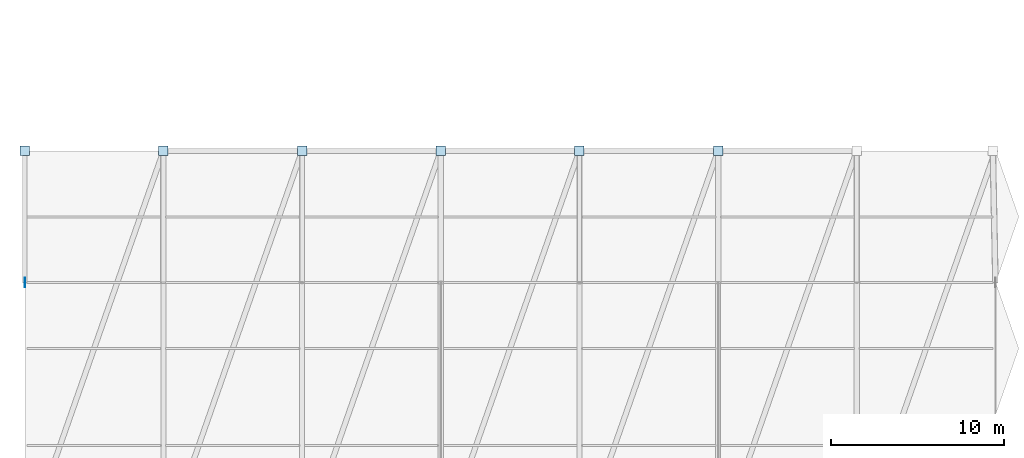
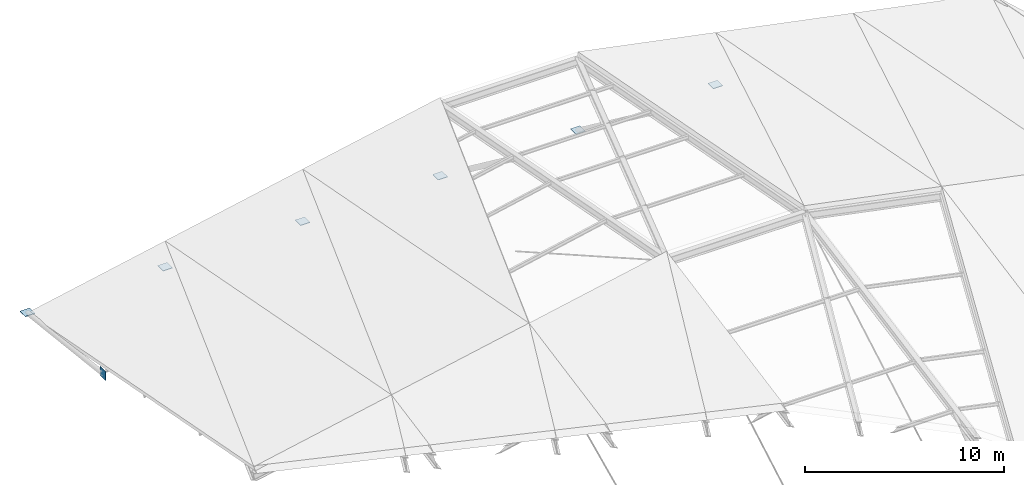
# One storey, part 6 of 9: 7 plates.
"""IFC4 building model written with IfcOpenShell, lengths in metres."""

from ifc_helpers import new_model, si_unit, direction, frame, origin, origin_2d, place, context, subcontext, project, spatial, rectangle, extrude, material, layer, layer_set, type_object, element, save


model = new_model("IFC4")

# Units and contexts
model_context = context("Model", 3, precision=1e-05, world=origin(), true_north=direction((0.0, 1.0)))
body_context = subcontext(model_context, "Body", "Model", "MODEL_VIEW")
ifc_project = project(units=[si_unit("LENGTHUNIT", "METRE"), si_unit("AREAUNIT", "SQUARE_METRE"), si_unit("VOLUMEUNIT", "CUBIC_METRE"), si_unit("PLANEANGLEUNIT", "RADIAN"), si_unit("MASSUNIT", "GRAM", prefix="KILO")], contexts=[model_context])

# Site, building, storey
site_placement = place(None, origin())
site = spatial("IfcSite", under=ifc_project, at=site_placement, CompositionType="ELEMENT")
building_placement = place(site_placement, origin())
building = spatial("IfcBuilding", under=site, at=building_placement, Name="Khelvaren Railside Concert Hall", CompositionType="ELEMENT")
storey_placement = place(building_placement, frame((0.0, 0.0, 29.39990234375)))
storey = spatial("IfcBuildingStorey", under=building, at=storey_placement, Name="ROOF", CompositionType="ELEMENT", Elevation=29.39990234375)

# Plates
ifc_material = material(Name="Steel S355", Category="steel")
ifc_layer = layer(ifc_material, 0.028076171875)
ifc_layer_set = layer_set([ifc_layer], Name="Steel S355")
plate_type = type_object("IfcPlateType", Name="GP71", PredefinedType="USERDEFINED", material=ifc_layer_set)
plate_1_placement = place(storey_placement, frame((0.0, 45.60009765625, -2.59912109375), z_axis=(0.0, 0.0, 1.0), x_axis=(1.0, 0.0, 0.0)))
element("IfcPlate", 1, at=plate_1_placement, inside=storey, type_object=plate_type, Name="Crystal Raking Strut Base Plate B1-N", ObjectType="GUSSET PLATE", PredefinedType="USERDEFINED", context=body_context, shape_type="SweptSolid", body=[
    extrude(rectangle(XDim=0.550048828125, YDim=0.550048828125, at=origin_2d()), origin(), (0.0, 0.0, 1.0), 0.028076171875),
])
plate_2_placement = place(storey_placement, frame((0.0, 38.0, -2.0009765625), z_axis=(0.0, 0.0, 1.0), x_axis=(1.0, 0.0, 0.0)))
element("IfcPlate", 2, at=plate_2_placement, inside=storey, type_object=plate_type, Name="Crystal Raking Strut Top Node Cap B1-N", ObjectType="GUSSET PLATE", PredefinedType="USERDEFINED", context=body_context, shape_type="SweptSolid", body=[
    extrude(rectangle(XDim=0.028076171875, YDim=0.550048828125, at=origin_2d()), origin(), (0.0, 0.0, 1.0), 0.550048828125),
])
for number, where, z_axis, x_axis, name in (
    (3, (8.0, 45.60009765625, -2.59912109375), (0.0, 0.0, 1.0), (1.0, 0.0, 0.0), "Crystal Raking Strut Base Plate B2-N"),
    (4, (16.0, 45.60009765625, -2.59912109375), (0.0, 0.0, 1.0), (1.0, 0.0, 0.0), "Crystal Raking Strut Base Plate B3-N"),
    (5, (24.0, 45.60009765625, -2.59912109375), (0.0, 0.0, 1.0), (1.0, 0.0, 0.0), "Crystal Raking Strut Base Plate B4-N"),
    (6, (32.0, 45.60009765625, -2.59912109375), (0.0, 0.0, 1.0), (1.0, 0.0, 0.0), "Crystal Raking Strut Base Plate B5-N"),
    (7, (40.0, 45.60009765625, -2.59912109375), (0.0, 0.0, 1.0), (1.0, 0.0, 0.0), "Crystal Raking Strut Base Plate B6-N"),
):
    element("IfcPlate", number, at=place(storey_placement, frame(where, z_axis=z_axis, x_axis=x_axis)), inside=storey, type_object=plate_type, Name=name, ObjectType="GUSSET PLATE", PredefinedType="USERDEFINED", context=body_context, shape_type="SweptSolid", body=[
        extrude(rectangle(XDim=0.550048828125, YDim=0.550048828125, at=origin_2d()), origin(), (0.0, 0.0, 1.0), 0.028076171875),
    ])

save(model, "model.ifc")
